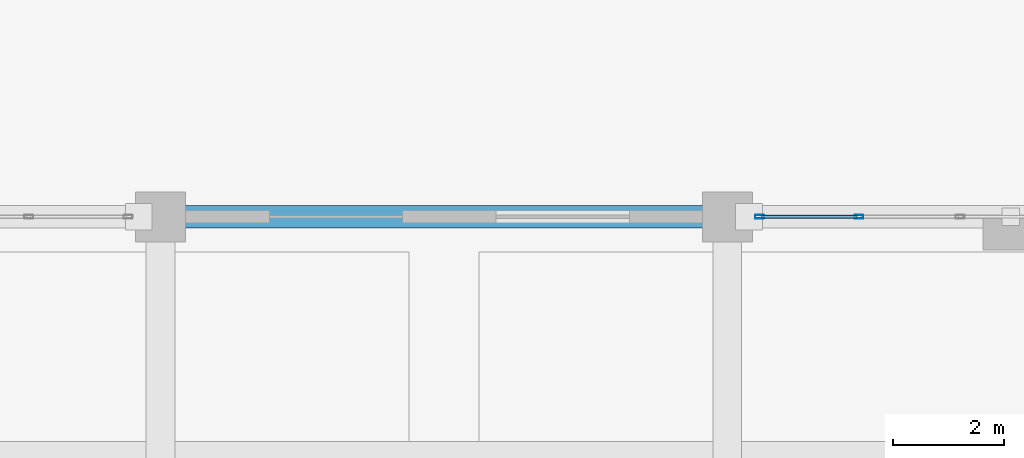
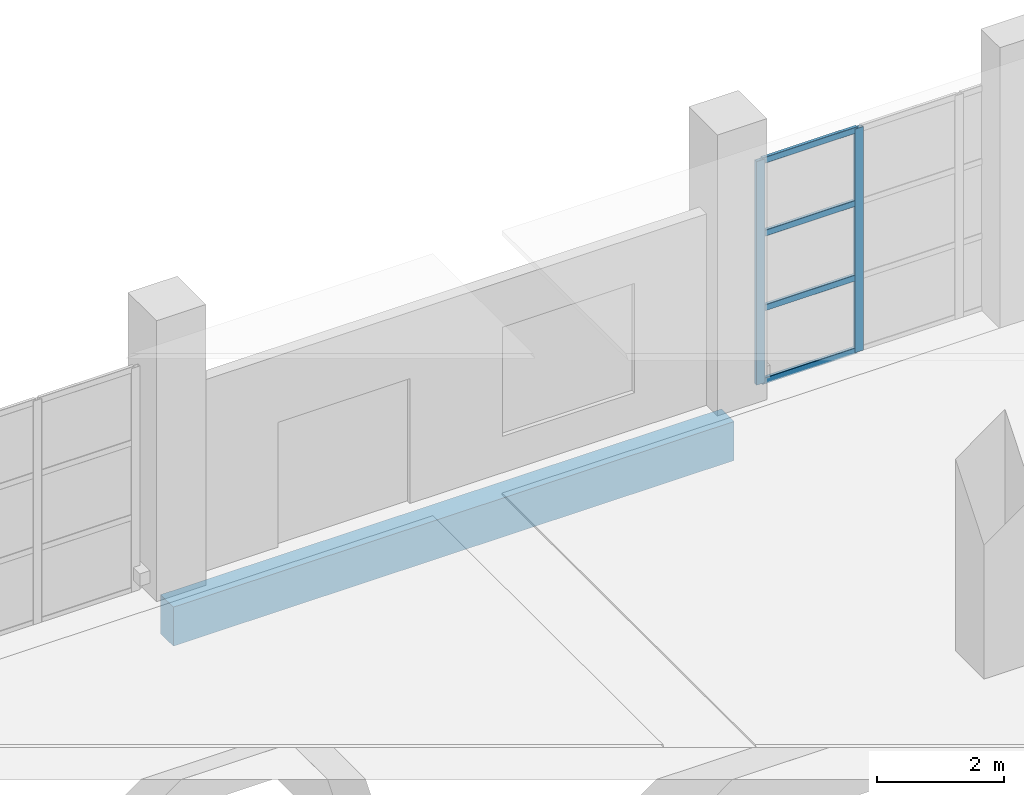
# One storey, part 69 of 124: 6 members, 1 beam, 1 element without a shape of its own.
"""IFC4 building model written with IfcOpenShell, lengths in metres."""

import ifcopenshell
import ifcopenshell.guid

model = None  # the IFC model being written
_history = None  # IfcOwnerHistory: only IFC2X3 demands one
_inside = {}  # id of a spatial element -> (the spatial element, [elements in it])
_under = {}  # id of a project, library or spatial element -> (it, [spatial elements below it])
_declared = {}  # id of a project -> (the project, [libraries it declares])
_typed = {}  # id of a type object -> (the type object, [elements of that type])
_made_of = {}  # id of a material, layer set ... -> (it, [elements and type objects made of it])


def new_model(schema):
    """Start an empty IFC model of exactly this schema.

    Asked for "IFC4X3", IfcOpenShell would pick the latest addendum, in which some entities
    have other attributes; the version numbers below select the first issue.
    IFC2X3 requires an IfcOwnerHistory on every rooted entity: one is made here for all.
    """
    global model, _history
    if schema == "IFC4X3":
        model = ifcopenshell.file(schema_version=(4, 3, 0, 0))
    else:
        model = ifcopenshell.file(schema=schema)
    _inside.clear()
    _under.clear()
    _declared.clear()
    _typed.clear()
    _made_of.clear()
    _history = None
    if model.schema == "IFC2X3":
        org = make("IfcOrganization", Name="unknown")
        user = make(
            "IfcPersonAndOrganization",
            ThePerson=make("IfcPerson", FamilyName="unknown"),
            TheOrganization=org,
        )
        app = make(
            "IfcApplication",
            ApplicationDeveloper=org,
            Version="unknown",
            ApplicationFullName="unknown",
            ApplicationIdentifier="unknown",
        )
        _history = make(
            "IfcOwnerHistory",
            OwningUser=user,
            OwningApplication=app,
            ChangeAction="ADDED",
            CreationDate=0,
        )
    return model


def make(cls, **values):
    """One entity of the class cls with the attributes given. An attribute that is None is left unset."""
    return model.create_entity(
        cls, **{name: value for name, value in values.items() if value is not None}
    )


def rooted(cls, **values):
    """An entity with a GlobalId (a new one), such as an element, a storey or a relation."""
    return make(cls, GlobalId=ifcopenshell.guid.new(), OwnerHistory=_history, **values)


def si_unit(unit_type, name, prefix=None):
    """IfcSIUnit, for example si_unit("LENGTHUNIT", "METRE", prefix="MILLI")."""
    return make("IfcSIUnit", UnitType=unit_type, Prefix=prefix, Name=name)


def assignment(units):
    """IfcUnitAssignment: the units of a project."""
    return None if units is None else make("IfcUnitAssignment", Units=units)


def point(xyz):
    """IfcCartesianPoint."""
    return None if xyz is None else make("IfcCartesianPoint", Coordinates=xyz)


def direction(xyz):
    """IfcDirection."""
    return None if xyz is None else make("IfcDirection", DirectionRatios=xyz)


def frame(location, z_axis=None, x_axis=None):
    """IfcAxis2Placement3D, a coordinate frame: its origin and axes. An axis left out is left unset."""
    return make(
        "IfcAxis2Placement3D",
        Location=point(location),
        Axis=direction(z_axis),
        RefDirection=direction(x_axis),
    )


def frame_2d(location, x_axis=None):
    """IfcAxis2Placement2D, a coordinate frame in the plane: its origin and x axis."""
    return make(
        "IfcAxis2Placement2D", Location=point(location), RefDirection=direction(x_axis)
    )


def origin():
    """The frame at (0, 0, 0) with its axes left unset."""
    return frame((0.0, 0.0, 0.0))


def origin_2d():
    """The frame at (0, 0) in the plane with its x axis left unset."""
    return frame_2d((0.0, 0.0))


def place(relative_to, where):
    """IfcLocalPlacement: puts the frame where relative to a parent placement (None: the world)."""
    return make(
        "IfcLocalPlacement", PlacementRelTo=relative_to, RelativePlacement=where
    )


def context(
    kind, dimensions, precision=None, world=None, true_north=None, identifier=None
):
    """IfcGeometricRepresentationContext, for example the 3D "Model" context."""
    return make(
        "IfcGeometricRepresentationContext",
        ContextIdentifier=identifier,
        ContextType=kind,
        CoordinateSpaceDimension=dimensions,
        Precision=precision,
        WorldCoordinateSystem=world,
        TrueNorth=true_north,
    )


def subcontext(parent, identifier, kind, view, scale=None):
    """IfcGeometricRepresentationSubContext, for example "Body" below "Model"."""
    return make(
        "IfcGeometricRepresentationSubContext",
        ContextIdentifier=identifier,
        ContextType=kind,
        ParentContext=parent,
        TargetScale=scale,
        TargetView=view,
    )


def project(units=None, contexts=None):
    """IfcProject with its units and contexts."""
    return rooted(
        "IfcProject",
        Name="project",
        RepresentationContexts=contexts,
        UnitsInContext=assignment(units),
    )


def spatial(cls, under=None, at=None, **own):
    """A site, building, storey or space (cls), placed at a placement, below another one or the project."""
    s = rooted(cls, ObjectPlacement=at, **own)
    if under is not None:
        _under.setdefault(under.id(), (under, []))[1].append(s)
    return s


def profile(cls, at=None, kind="AREA", **sizes):
    """A parametric profile (cls). Its sizes go by their IFC names, for example OverallWidth=200.0."""
    return make(cls, ProfileType=kind, Position=at, **sizes)


def rectangle(**sizes):
    """IfcRectangleProfileDef."""
    return profile("IfcRectangleProfileDef", **sizes)


def hollow_rectangle(**sizes):
    """IfcRectangleHollowProfileDef."""
    return profile("IfcRectangleHollowProfileDef", **sizes)


def extrude(swept, where, along, depth):
    """IfcExtrudedAreaSolid: the profile swept, set in the frame where, extruded along a direction by depth."""
    return make(
        "IfcExtrudedAreaSolid",
        SweptArea=swept,
        Position=where,
        ExtrudedDirection=direction(along),
        Depth=depth,
    )


def shape(context_of_items, identifier, shape_type, items):
    """IfcShapeRepresentation: the items that make up one representation, for example the "Body"."""
    return make(
        "IfcShapeRepresentation",
        ContextOfItems=context_of_items,
        RepresentationIdentifier=identifier,
        RepresentationType=shape_type,
        Items=items,
    )


def material(Name=None, Category=None):
    """IfcMaterial."""
    return make("IfcMaterial", Name=Name, Category=Category)


def material_profile(
    of_material, cross_section, Name=None, Category=None, Priority=None
):
    """IfcMaterialProfile: a cross section and its material."""
    return make(
        "IfcMaterialProfile",
        Name=Name,
        Material=of_material,
        Profile=cross_section,
        Priority=Priority,
        Category=Category,
    )


def profile_set(profiles, Name=None, composite=None):
    """IfcMaterialProfileSet."""
    return make(
        "IfcMaterialProfileSet",
        Name=Name,
        MaterialProfiles=profiles,
        CompositeProfile=composite,
    )


def made_of(thing, what):
    """Note that an element or type object is made of a material, layer set ...; save() writes the relation."""
    if what is not None:
        _made_of.setdefault(what.id(), (what, []))[1].append(thing)
    return thing


def type_object(cls, material=None, **own):
    """A type object (cls), such as IfcWallType, which elements share."""
    return made_of(rooted(cls, **own), material)


def element(
    cls,
    number,
    at=None,
    inside=None,
    cuts=None,
    type_object=None,
    material=None,
    context=None,
    identifier="Body",
    shape_type=None,
    held_by="IfcProductDefinitionShape",
    body=None,
    shapes=None,
    **own,
):
    """One element of the class cls, such as IfcWall. Its Tag is "e" and its number.

    at: its placement. inside: the storey or other place that contains it. cuts: it is an
    opening in that element (IfcRelVoidsElement). A single representation is given by context,
    identifier, shape_type and body (its items); several are given by shapes. held_by: the class
    of the entity that holds the representations. save() writes the other relations.
    """
    e = rooted(cls, Tag="e%d" % number, ObjectPlacement=at, **own)
    if body is not None:
        shapes = [shape(context, identifier, shape_type, body)]
    if shapes is not None:
        e.Representation = make(held_by, Representations=shapes)
    if inside is not None:
        _inside.setdefault(inside.id(), (inside, []))[1].append(e)
    if cuts is not None:
        rooted(
            "IfcRelVoidsElement", RelatingBuildingElement=cuts, RelatedOpeningElement=e
        )
    if type_object is not None:
        _typed.setdefault(type_object.id(), (type_object, []))[1].append(e)
    return made_of(e, material)


def aggregate(whole, parts):
    """IfcRelAggregates: a whole, such as a stair, and the parts it consists of."""
    return rooted("IfcRelAggregates", RelatingObject=whole, RelatedObjects=parts)


def save(model, path):
    """Write the relations noted so far, then the file.

    IfcRelAggregates (storeys below a building ...), IfcRelContainedInSpatialStructure (elements
    in a storey), IfcRelDefinesByType, IfcRelAssociatesMaterial and IfcRelDeclares: one each for
    every whole, place, type object, material and project.
    """
    for whole, parts in _under.values():
        aggregate(whole, parts)
    for where, things in _inside.values():
        rooted(
            "IfcRelContainedInSpatialStructure",
            RelatedElements=things,
            RelatingStructure=where,
        )
    for kind, things in _typed.values():
        rooted("IfcRelDefinesByType", RelatedObjects=things, RelatingType=kind)
    for what, things in _made_of.values():
        rooted("IfcRelAssociatesMaterial", RelatedObjects=things, RelatingMaterial=what)
    for by, libraries in _declared.values():
        rooted("IfcRelDeclares", RelatingContext=by, RelatedDefinitions=libraries)
    model.write(path)


model = new_model("IFC4")

# Units and contexts
model_context = context("Model", 3, precision=1e-05, world=origin(), true_north=direction((0.0, 1.0)))
body_context = subcontext(model_context, "Body", "Model", "MODEL_VIEW")
ifc_project = project(units=[si_unit("LENGTHUNIT", "METRE"), si_unit("AREAUNIT", "SQUARE_METRE"), si_unit("VOLUMEUNIT", "CUBIC_METRE"), si_unit("PLANEANGLEUNIT", "RADIAN"), si_unit("MASSUNIT", "GRAM", prefix="KILO")], contexts=[model_context])

# Site, building, storey
site_placement = place(None, origin())
site = spatial("IfcSite", under=ifc_project, at=site_placement, CompositionType="ELEMENT")
building_placement = place(site_placement, origin())
building = spatial("IfcBuilding", under=site, at=building_placement, Name="Brelvane Convention Centre", CompositionType="ELEMENT")
storey_placement = place(building_placement, origin())
storey = spatial("IfcBuildingStorey", under=building, at=storey_placement, Name="L00", CompositionType="ELEMENT", Elevation=0.0)

# Curtain wall, members
ifc_material_1 = material(Name="Anodised Aluminium Alloy 6063-T6", Category="aluminium")
curtain_wall_type = type_object("IfcCurtainWallType", Name="Curtain Wall CW-BOUL", PredefinedType="USERDEFINED", material=ifc_material_1)
curtain_wall_placement = place(storey_placement, origin())
curtain_wall = element("IfcCurtainWall", 1, at=curtain_wall_placement, inside=storey, type_object=curtain_wall_type, Name="Curtain Wall CW-BOUL L00-V4N-06", ObjectType="UNITISED", PredefinedType="USERDEFINED")
ifc_material_2 = material(Name="Anodised Aluminium Alloy 6063-T6", Category="aluminium")
ifc_material_profile_1 = material_profile(ifc_material_2, hollow_rectangle(XDim=0.06494140625, YDim=0.159912109375, WallThickness=0.00390625, InnerFilletRadius=0.00390625, OuterFilletRadius=0.008056640625, at=origin_2d()), Name="ALU-M 160x65x4.0")
ifc_profile_set_1 = profile_set([ifc_material_profile_1], Name="Anodised Aluminium Alloy 6063-T6")
member_type_1 = type_object("IfcMemberType", Name="Curtain Mullion CW-M3", PredefinedType="MULLION", material=ifc_profile_set_1)
member_1_placement = place(storey_placement, frame((51.58251953125, 144.0, 0.0), z_axis=(0.0, 0.0, 1.0), x_axis=(0.0, 1.0, 0.0)))
member_1 = element("IfcMember", 2, at=member_1_placement, type_object=member_type_1, Name="CW-BOUL mullion 1", PredefinedType="MULLION", context=body_context, shape_type="SweptSolid", body=[
    extrude(hollow_rectangle(XDim=0.06494140625, YDim=0.159912109375, WallThickness=0.00390625, InnerFilletRadius=0.00390625, OuterFilletRadius=0.008056640625, at=origin_2d()), origin(), (0.0, 0.0, 1.0), 4.300048828125),
])
member_2_placement = place(storey_placement, frame((53.3701171875, 144.0, 0.0), z_axis=(0.0, 0.0, 1.0), x_axis=(0.0, 1.0, 0.0)))
member_2 = element("IfcMember", 3, at=member_2_placement, type_object=member_type_1, Name="CW-BOUL mullion 2", PredefinedType="MULLION", context=body_context, shape_type="SweptSolid", body=[
    extrude(hollow_rectangle(XDim=0.06494140625, YDim=0.159912109375, WallThickness=0.00390625, InnerFilletRadius=0.00390625, OuterFilletRadius=0.008056640625, at=origin_2d()), origin(), (0.0, 0.0, 1.0), 4.300048828125),
])
ifc_material_3 = material(Name="Anodised Aluminium Alloy 6063-T6", Category="aluminium")
ifc_material_profile_2 = material_profile(ifc_material_3, hollow_rectangle(XDim=0.06005859375, YDim=0.1201171875, WallThickness=0.00390625, InnerFilletRadius=0.00390625, OuterFilletRadius=0.008056640625, at=origin_2d()), Name="ALU-T 120x60x4.0")
ifc_profile_set_2 = profile_set([ifc_material_profile_2], Name="Anodised Aluminium Alloy 6063-T6")
member_type_2 = type_object("IfcMemberType", Name="Curtain Transom CW-T3", PredefinedType="USERDEFINED", material=ifc_profile_set_2)
member_3_placement = place(storey_placement, frame((51.614990234375, 144.0, 0.030029296875), z_axis=(1.0, 0.0, 0.0), x_axis=(0.0, 1.0, 0.0)))
member_3 = element("IfcMember", 4, at=member_3_placement, type_object=member_type_2, Name="CW-BOUL transom 1.1", ObjectType="TRANSOM", PredefinedType="USERDEFINED", context=body_context, shape_type="SweptSolid", body=[
    extrude(hollow_rectangle(XDim=0.06005859375, YDim=0.1201171875, WallThickness=0.00390625, InnerFilletRadius=0.00390625, OuterFilletRadius=0.008056640625, at=origin_2d()), origin(), (0.0, 0.0, 1.0), 1.722412109375),
])
member_4_placement = place(storey_placement, frame((51.614990234375, 144.0, 1.433349609375), z_axis=(1.0, 0.0, 0.0), x_axis=(0.0, 1.0, 0.0)))
member_4 = element("IfcMember", 5, at=member_4_placement, type_object=member_type_2, Name="CW-BOUL transom 1.2", ObjectType="TRANSOM", PredefinedType="USERDEFINED", context=body_context, shape_type="SweptSolid", body=[
    extrude(hollow_rectangle(XDim=0.06005859375, YDim=0.1201171875, WallThickness=0.00390625, InnerFilletRadius=0.00390625, OuterFilletRadius=0.008056640625, at=origin_2d()), origin(), (0.0, 0.0, 1.0), 1.722412109375),
])
member_5_placement = place(storey_placement, frame((51.614990234375, 144.0, 2.86669921875), z_axis=(1.0, 0.0, 0.0), x_axis=(0.0, 1.0, 0.0)))
member_5 = element("IfcMember", 6, at=member_5_placement, type_object=member_type_2, Name="CW-BOUL transom 1.3", ObjectType="TRANSOM", PredefinedType="USERDEFINED", context=body_context, shape_type="SweptSolid", body=[
    extrude(hollow_rectangle(XDim=0.06005859375, YDim=0.1201171875, WallThickness=0.00390625, InnerFilletRadius=0.00390625, OuterFilletRadius=0.008056640625, at=origin_2d()), origin(), (0.0, 0.0, 1.0), 1.722412109375),
])
member_6_placement = place(storey_placement, frame((51.614990234375, 144.0, 4.27001953125), z_axis=(1.0, 0.0, 0.0), x_axis=(0.0, 1.0, 0.0)))
member_6 = element("IfcMember", 7, at=member_6_placement, type_object=member_type_2, Name="CW-BOUL transom 1.4", ObjectType="TRANSOM", PredefinedType="USERDEFINED", context=body_context, shape_type="SweptSolid", body=[
    extrude(hollow_rectangle(XDim=0.06005859375, YDim=0.1201171875, WallThickness=0.00390625, InnerFilletRadius=0.00390625, OuterFilletRadius=0.008056640625, at=origin_2d()), origin(), (0.0, 0.0, 1.0), 1.722412109375),
])
aggregate(curtain_wall, [member_1, member_2, member_3, member_4, member_5, member_6])

# Beam
ifc_material_4 = material(Name="Concrete M40", Category="concrete")
ifc_material_profile_3 = material_profile(ifc_material_4, rectangle(XDim=0.39990234375, YDim=0.75, at=origin_2d()), Name="RC 400x750")
ifc_profile_set_3 = profile_set([ifc_material_profile_3], Name="Concrete M40")
beam_type = type_object("IfcBeamType", Name="RC Spandrel SP-RC1 (RC 400x750)", PredefinedType="SPANDREL", material=ifc_profile_set_3)
beam_placement = place(storey_placement, frame((40.800048828125, 144.0, -0.7900390625), z_axis=(1.0, 0.0, 0.0), x_axis=(0.0, 1.0, 0.0)))
element("IfcBeam", 8, at=beam_placement, inside=storey, type_object=beam_type, Name="L00 Beam 5-6/Q", PredefinedType="SPANDREL", context=body_context, shape_type="SweptSolid", body=[
    extrude(rectangle(XDim=0.39990234375, YDim=0.75, at=origin_2d()), origin(), (0.0, 0.0, 1.0), 10.199951171875),
])

save(model, "model.ifc")
